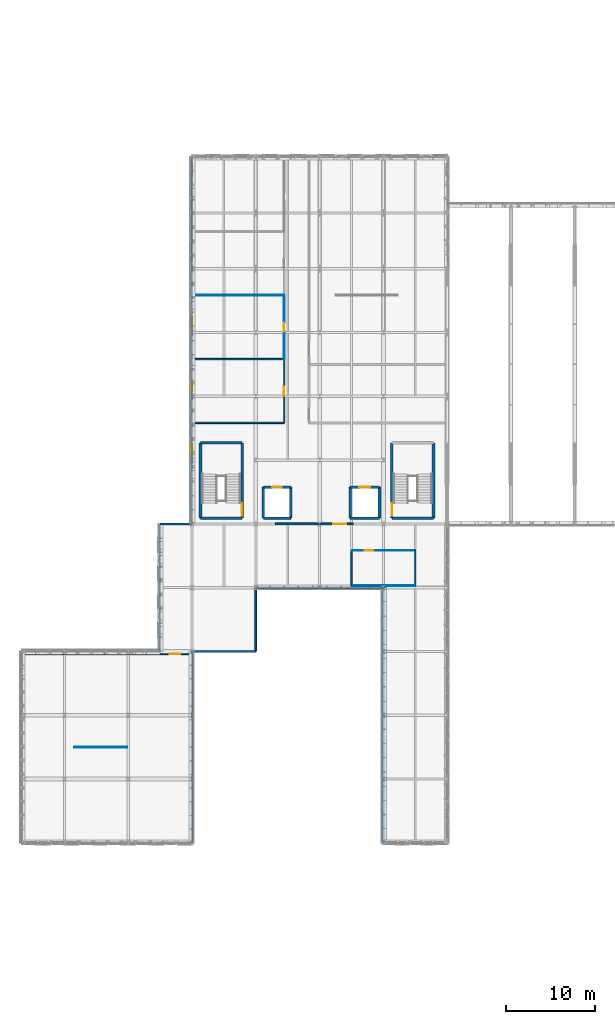
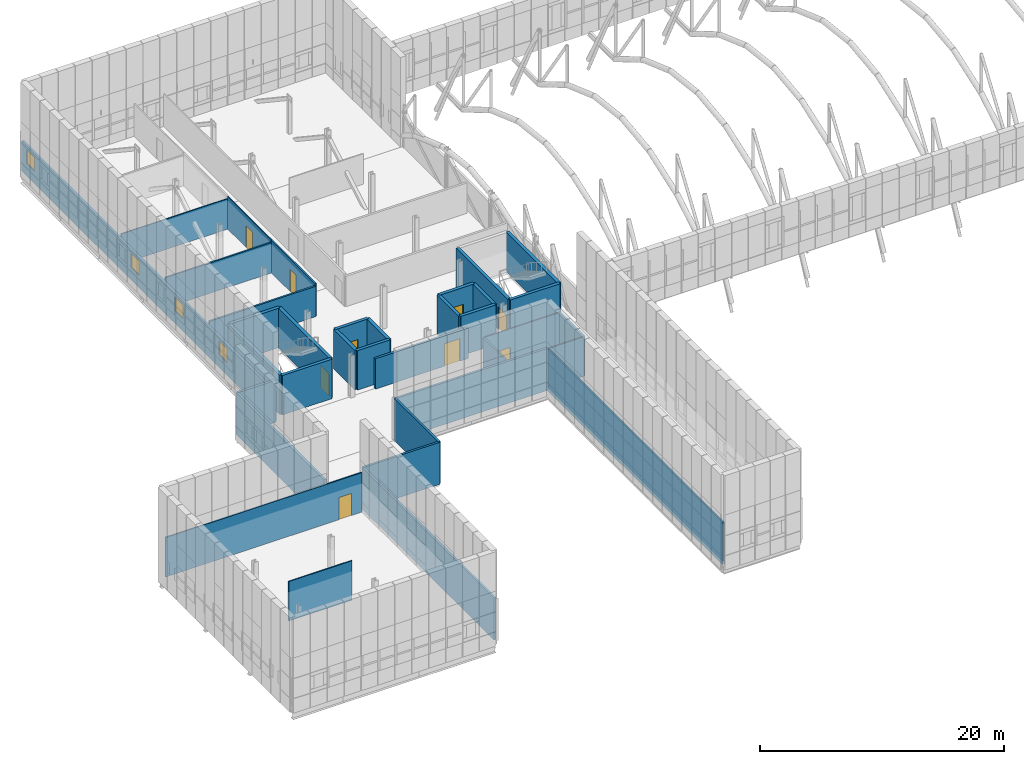
# One storey, part 101 of 144: 36 walls, 9 doors, 4 windows, 13 openings.
"""IFC4 building model written with IfcOpenShell, lengths in metres."""

from ifc_helpers import new_model, si_unit, direction, frame, frame_2d, origin, place, context, subcontext, project, spatial, rectangle, extrude, material, layer, layer_set, type_object, element, fill, save


model = new_model("IFC4")

# Units and contexts
model_context = context("Model", 3, precision=1e-05, world=origin(), true_north=direction((0.0, 1.0)))
body_context = subcontext(model_context, "Body", "Model", "MODEL_VIEW")
ifc_project = project(units=[si_unit("LENGTHUNIT", "METRE"), si_unit("AREAUNIT", "SQUARE_METRE"), si_unit("VOLUMEUNIT", "CUBIC_METRE"), si_unit("PLANEANGLEUNIT", "RADIAN"), si_unit("MASSUNIT", "GRAM", prefix="KILO")], contexts=[model_context])

# Site, building, storey
site_placement = place(None, origin())
site = spatial("IfcSite", under=ifc_project, at=site_placement, CompositionType="ELEMENT")
building_placement = place(site_placement, origin())
building = spatial("IfcBuilding", under=site, at=building_placement, Name="Yarey Park Central Fire Station", CompositionType="ELEMENT")
storey_placement = place(building_placement, frame((0.0, 0.0, 10.199951171875)))
storey = spatial("IfcBuildingStorey", under=building, at=storey_placement, Name="L03", CompositionType="ELEMENT", Elevation=10.199951171875)

# Walls
ifc_material_1 = material(Name="Concrete C35/45", Category="concrete")
ifc_layer_1 = layer(ifc_material_1, 0.205078125)
ifc_layer_set_1 = layer_set([ifc_layer_1], Name="Concrete C35/45")
wall_type_1 = type_object("IfcWallType", Name="ENV_WALL_INS205", PredefinedType="STANDARD", material=ifc_layer_set_1)
wall_1_placement = place(storey_placement, frame((36.0, 50.39990234375, 0.0), z_axis=(0.0, 0.0, 1.0), x_axis=(1.0, 0.0, 0.0)))
element("IfcWall", 1, at=wall_1_placement, inside=storey, type_object=wall_type_1, Name="EW_L03_CTYD_N", PredefinedType="STANDARD", context=body_context, shape_type="SweptSolid", body=[
    extrude(rectangle(XDim=14.39990234375, YDim=0.205078125, at=frame_2d((7.199951171875, 0.0))), origin(), (0.0, 0.0, 1.0), 4.199951171875),
])
wall_2_placement = place(storey_placement, frame((28.800048828125, 21.60009765625, 0.0), z_axis=(0.0, 0.0, 1.0), x_axis=(0.0, 1.0, 0.0)))
element("IfcWall", 2, at=wall_2_placement, inside=storey, type_object=wall_type_1, Name="EW_L03_CTYD_W1", PredefinedType="STANDARD", context=body_context, shape_type="SweptSolid", body=[
    extrude(rectangle(XDim=21.599853515625, YDim=0.205078125, at=frame_2d((10.7998046875, 0.0))), origin(), (0.0, 0.0, 1.0), 4.199951171875),
])
for number, where, z_axis, x_axis, name in (
    (3, (28.800048828125, 43.199951171875, 0.0), (0.0, 0.0, 1.0), (1.0, 0.0, 0.0), "EW_L03_CTYD_WS"),
    (4, (36.0, 43.199951171875, 0.0), (0.0, 0.0, 1.0), (0.0, 1.0, 0.0), "EW_L03_CTYD_W2"),
):
    element("IfcWall", number, at=place(storey_placement, frame(where, z_axis=z_axis, x_axis=x_axis)), inside=storey, type_object=wall_type_1, Name=name, PredefinedType="STANDARD", context=body_context, shape_type="SweptSolid", body=[
        extrude(rectangle(XDim=7.199951171875, YDim=0.205078125, at=frame_2d((3.60009765625, 0.0))), origin(), (0.0, 0.0, 1.0), 4.199951171875),
    ])
wall_3_placement = place(storey_placement, frame((50.39990234375, 50.39990234375, 0.0), z_axis=(0.0, 0.0, 1.0), x_axis=(0.0, -1.0, 0.0)))
element("IfcWall", 5, at=wall_3_placement, inside=storey, type_object=wall_type_1, Name="EW_L03_CTYD_E", PredefinedType="STANDARD", context=body_context, shape_type="SweptSolid", body=[
    extrude(rectangle(XDim=28.7998046875, YDim=0.205078125, at=frame_2d((14.39990234375, 0.0))), origin(), (0.0, 0.0, 1.0), 4.199951171875),
])
ifc_layer_2 = layer(ifc_material_1, 0.22998046875)
ifc_layer_set_2 = layer_set([ifc_layer_2], Name="Concrete C35/45")
wall_type_2 = type_object("IfcWallType", Name="ENV_WALL_INS230", PredefinedType="STANDARD", material=ifc_layer_set_2)
wall_4_placement = place(storey_placement, frame((28.800048828125, 57.60009765625, 0.0), z_axis=(0.0, 0.0, 1.0), x_axis=(-1.0, 0.0, 0.0)))
element("IfcWall", 6, at=wall_4_placement, inside=storey, type_object=wall_type_2, Name="EW_L03_V1_STEP_W", PredefinedType="STANDARD", context=body_context, shape_type="SweptSolid", body=[
    extrude(rectangle(XDim=3.60009765625, YDim=0.22998046875, at=frame_2d((1.800048828125, 0.0))), origin(), (0.0, 0.0, 1.0), 4.199951171875),
])
wall_5_placement = place(storey_placement, frame((25.199951171875, 57.60009765625, 0.0), z_axis=(0.0, 0.0, 1.0), x_axis=(0.0, -1.0, 0.0)))
element("IfcWall", 7, at=wall_5_placement, inside=storey, type_object=wall_type_2, Name="EW_L03_V1_W_COR", PredefinedType="STANDARD", context=body_context, shape_type="SweptSolid", body=[
    extrude(rectangle(XDim=14.400146484375, YDim=0.22998046875, at=frame_2d((7.2001953125, 0.0))), origin(), (0.0, 0.0, 1.0), 4.199951171875),
])

# Wall, openings, windows
wall_6_placement = place(storey_placement, frame((28.800048828125, 99.0, 0.0), z_axis=(0.0, 0.0, 1.0), x_axis=(0.0, -1.0, 0.0)))
wall_6 = element("IfcWall", 8, at=wall_6_placement, inside=storey, type_object=wall_type_2, Name="EW_L03_V3_W", PredefinedType="STANDARD", context=body_context, shape_type="SweptSolid", body=[
    extrude(rectangle(XDim=41.39990234375, YDim=0.22998046875, at=frame_2d((20.699951171875, 0.0))), origin(), (0.0, 0.0, 1.0), 3.0),
])
opening_1_placement = place(wall_6_placement, frame((32.389892578125, 0.0, 1.25)))
opening_1 = element("IfcOpeningElement", 9, at=opening_1_placement, cuts=wall_6, Name="Opening WN-DT126", PredefinedType="OPENING", context=body_context, shape_type="SweptSolid", body=[
    extrude(rectangle(XDim=1.260009765625, YDim=1.3798828125, at=frame_2d((0.6298828125, 0.68994140625))), frame((0.0, 0.125, 0.0), z_axis=(0.0, -1.0, 0.0), x_axis=(1.0, 0.0, 0.0)), (0.0, 0.0, 1.0), 0.25),
])
opening_2_placement = place(wall_6_placement, frame((25.18994140625, 0.0, 1.25)))
opening_2 = element("IfcOpeningElement", 10, at=opening_2_placement, cuts=wall_6, Name="Opening WN-DT126", PredefinedType="OPENING", context=body_context, shape_type="SweptSolid", body=[
    extrude(rectangle(XDim=1.260009765625, YDim=1.3798828125, at=frame_2d((0.6298828125, 0.68994140625))), frame((0.0, 0.125, 0.0), z_axis=(0.0, -1.0, 0.0), x_axis=(1.0, 0.0, 0.0)), (0.0, 0.0, 1.0), 0.25),
])
opening_3_placement = place(wall_6_placement, frame((17.989990234375, 0.0, 1.25)))
opening_3 = element("IfcOpeningElement", 11, at=opening_3_placement, cuts=wall_6, Name="Opening WN-DT126", PredefinedType="OPENING", context=body_context, shape_type="SweptSolid", body=[
    extrude(rectangle(XDim=1.260009765625, YDim=1.3798828125, at=frame_2d((0.6298828125, 0.68994140625))), frame((0.0, 0.125, 0.0), z_axis=(0.0, -1.0, 0.0), x_axis=(1.0, 0.0, 0.0)), (0.0, 0.0, 1.0), 0.25),
])
opening_4_placement = place(wall_6_placement, frame((0.840087890625, 0.0, 1.25)))
opening_4 = element("IfcOpeningElement", 12, at=opening_4_placement, cuts=wall_6, Name="Opening WN-DT126", PredefinedType="OPENING", context=body_context, shape_type="SweptSolid", body=[
    extrude(rectangle(XDim=1.260009765625, YDim=1.3798828125, at=frame_2d((0.6298828125, 0.68994140625))), frame((0.0, 0.125, 0.0), z_axis=(0.0, -1.0, 0.0), x_axis=(1.0, 0.0, 0.0)), (0.0, 0.0, 1.0), 0.25),
])
ifc_material_2 = material(Name="Laminated Hurricane Low-E Glass", Category="glass")
window_type = type_object("IfcWindowType", Name="ENV_WIN_DT_126", PartitioningType="SINGLE_PANEL", PredefinedType="WINDOW", material=ifc_material_2)
window_1_placement = place(opening_1_placement, origin())
window_1 = element("IfcWindow", 13, at=window_1_placement, inside=storey, type_object=window_type, Name="WIN_L03_DORM_1", OverallHeight=1.3798828125, OverallWidth=1.260009765625, PartitioningType="SINGLE_PANEL", PredefinedType="WINDOW", context=body_context, shape_type="SweptSolid", body=[
    extrude(rectangle(XDim=1.260009765625, YDim=1.3798828125, at=frame_2d((0.6298828125, 0.68994140625))), frame((0.0, 0.030029296875, 0.0), z_axis=(0.0, -1.0, 0.0), x_axis=(1.0, 0.0, 0.0)), (0.0, 0.0, 1.0), 0.06005859375),
])
fill(opening_1, window_1)
window_2_placement = place(opening_2_placement, origin())
window_2 = element("IfcWindow", 14, at=window_2_placement, inside=storey, type_object=window_type, Name="WIN_L03_DORM_2", OverallHeight=1.3798828125, OverallWidth=1.260009765625, PartitioningType="SINGLE_PANEL", PredefinedType="WINDOW", context=body_context, shape_type="SweptSolid", body=[
    extrude(rectangle(XDim=1.260009765625, YDim=1.3798828125, at=frame_2d((0.6298828125, 0.68994140625))), frame((0.0, 0.030029296875, 0.0), z_axis=(0.0, -1.0, 0.0), x_axis=(1.0, 0.0, 0.0)), (0.0, 0.0, 1.0), 0.06005859375),
])
fill(opening_2, window_2)
window_3_placement = place(opening_3_placement, origin())
window_3 = element("IfcWindow", 15, at=window_3_placement, inside=storey, type_object=window_type, Name="WIN_L03_DORM_3", OverallHeight=1.3798828125, OverallWidth=1.260009765625, PartitioningType="SINGLE_PANEL", PredefinedType="WINDOW", context=body_context, shape_type="SweptSolid", body=[
    extrude(rectangle(XDim=1.260009765625, YDim=1.3798828125, at=frame_2d((0.6298828125, 0.68994140625))), frame((0.0, 0.030029296875, 0.0), z_axis=(0.0, -1.0, 0.0), x_axis=(1.0, 0.0, 0.0)), (0.0, 0.0, 1.0), 0.06005859375),
])
fill(opening_3, window_3)
window_4_placement = place(opening_4_placement, origin())
window_4 = element("IfcWindow", 16, at=window_4_placement, inside=storey, type_object=window_type, Name="WIN_L03_DORM_4", OverallHeight=1.3798828125, OverallWidth=1.260009765625, PartitioningType="SINGLE_PANEL", PredefinedType="WINDOW", context=body_context, shape_type="SweptSolid", body=[
    extrude(rectangle(XDim=1.260009765625, YDim=1.3798828125, at=frame_2d((0.6298828125, 0.68994140625))), frame((0.0, 0.030029296875, 0.0), z_axis=(0.0, -1.0, 0.0), x_axis=(1.0, 0.0, 0.0)), (0.0, 0.0, 1.0), 0.06005859375),
])
fill(opening_4, window_4)

# Wall
ifc_material_3 = material(Name="Concrete C40/50", Category="concrete")
ifc_layer_3 = layer(ifc_material_3, 0.27001953125)
ifc_layer_set_3 = layer_set([ifc_layer_3], Name="Concrete C40/50")
wall_type_3 = type_object("IfcWallType", Name="INT_CORE_RC270", PredefinedType="SHEAR", material=ifc_layer_set_3)
wall_7_placement = place(storey_placement, frame((36.85009765625, 58.25, 0.0), z_axis=(0.0, 0.0, 1.0), x_axis=(1.0, 0.0, 0.0)))
element("IfcWall", 17, at=wall_7_placement, inside=storey, type_object=wall_type_3, Name="LWALL_C3_L03_S", PredefinedType="SHEAR", context=body_context, shape_type="SweptSolid", body=[
    extrude(rectangle(XDim=3.099853515625, YDim=0.300048828125, at=frame_2d((1.5498046875, 0.0))), origin(), (0.0, 0.0, 1.0), 3.949951171875),
])

# Wall, opening, door
wall_8_placement = place(storey_placement, frame((39.949951171875, 61.75, 0.0), z_axis=(0.0, 0.0, 1.0), x_axis=(-1.0, 0.0, 0.0)))
wall_8 = element("IfcWall", 18, at=wall_8_placement, inside=storey, type_object=wall_type_3, Name="LWALL_C3_L03_N", PredefinedType="SHEAR", context=body_context, shape_type="SweptSolid", body=[
    extrude(rectangle(XDim=3.099853515625, YDim=0.300048828125, at=frame_2d((1.5498046875, 0.0))), origin(), (0.0, 0.0, 1.0), 3.949951171875),
])
opening_5_placement = place(wall_8_placement, frame((1.0, 0.0, 0.0)))
opening_5 = element("IfcOpeningElement", 19, at=opening_5_placement, cuts=wall_8, Name="Opening LD-11", PredefinedType="OPENING", context=body_context, shape_type="SweptSolid", body=[
    extrude(rectangle(XDim=1.10009765625, YDim=2.219970703125, at=frame_2d((0.550048828125, 1.10986328125))), frame((0.0, 0.159912109375, 0.0), z_axis=(0.0, -1.0, 0.0), x_axis=(1.0, 0.0, 0.0)), (0.0, 0.0, 1.0), 0.320068359375),
])
ifc_material_4 = material(Name="Stainless Steel AISI 316L", Category="steel")
door_type_1 = type_object("IfcDoorType", Name="DR_LD_1100", OperationType="NOTDEFINED", PredefinedType="DOOR", material=ifc_material_4)
door_1_placement = place(opening_5_placement, origin())
door_1 = element("IfcDoor", 20, at=door_1_placement, inside=storey, type_object=door_type_1, Name="Lift Landing Door LF-3-L03", OperationType="SLIDING_TO_LEFT", OverallHeight=2.219970703125, OverallWidth=1.10009765625, PredefinedType="DOOR", context=body_context, shape_type="SweptSolid", body=[
    extrude(rectangle(XDim=1.10009765625, YDim=2.219970703125, at=frame_2d((0.550048828125, 1.10986328125))), frame((0.0, 0.02490234375, 0.0), z_axis=(0.0, -1.0, 0.0), x_axis=(1.0, 0.0, 0.0)), (0.0, 0.0, 1.0), 0.050048828125),
])
fill(opening_5, door_1)

# Walls
for number, where, z_axis, x_axis, name in (
    (21, (36.85009765625, 61.75, 0.0), (0.0, 0.0, 1.0), (0.0, -1.0, 0.0), "LWALL_C3_L03_W"),
    (22, (39.949951171875, 58.25, 0.0), (0.0, 0.0, 1.0), (0.0, 1.0, 0.0), "LWALL_C3_L03_E"),
):
    element("IfcWall", number, at=place(storey_placement, frame(where, z_axis=z_axis, x_axis=x_axis)), inside=storey, type_object=wall_type_3, Name=name, PredefinedType="SHEAR", context=body_context, shape_type="SweptSolid", body=[
        extrude(rectangle(XDim=3.5, YDim=0.300048828125, at=frame_2d((1.75, 0.0))), origin(), (0.0, 0.0, 1.0), 3.949951171875),
    ])
wall_9_placement = place(storey_placement, frame((46.64990234375, 58.25, 0.0), z_axis=(0.0, 0.0, 1.0), x_axis=(1.0, 0.0, 0.0)))
element("IfcWall", 23, at=wall_9_placement, inside=storey, type_object=wall_type_3, Name="LWALL_C4_L03_S", PredefinedType="SHEAR", context=body_context, shape_type="SweptSolid", body=[
    extrude(rectangle(XDim=3.300048828125, YDim=0.300048828125, at=frame_2d((1.64990234375, 0.0))), origin(), (0.0, 0.0, 1.0), 3.949951171875),
])

# Wall, opening, door
wall_10_placement = place(storey_placement, frame((49.949951171875, 61.75, 0.0), z_axis=(0.0, 0.0, 1.0), x_axis=(-1.0, 0.0, 0.0)))
wall_10 = element("IfcWall", 24, at=wall_10_placement, inside=storey, type_object=wall_type_3, Name="LWALL_C4_L03_N", PredefinedType="SHEAR", context=body_context, shape_type="SweptSolid", body=[
    extrude(rectangle(XDim=3.300048828125, YDim=0.300048828125, at=frame_2d((1.64990234375, 0.0))), origin(), (0.0, 0.0, 1.0), 3.949951171875),
])
opening_6_placement = place(wall_10_placement, frame((1.050048828125, 0.0, 0.0)))
opening_6 = element("IfcOpeningElement", 25, at=opening_6_placement, cuts=wall_10, Name="Opening LD-12", PredefinedType="OPENING", context=body_context, shape_type="SweptSolid", body=[
    extrude(rectangle(XDim=1.199951171875, YDim=2.260009765625, at=frame_2d((0.60009765625, 1.1298828125))), frame((0.0, 0.159912109375, 0.0), z_axis=(0.0, -1.0, 0.0), x_axis=(1.0, 0.0, 0.0)), (0.0, 0.0, 1.0), 0.320068359375),
])
door_type_2 = type_object("IfcDoorType", Name="DR_LD_1200", OperationType="NOTDEFINED", PredefinedType="DOOR", material=ifc_material_4)
door_2_placement = place(opening_6_placement, origin())
door_2 = element("IfcDoor", 26, at=door_2_placement, inside=storey, type_object=door_type_2, Name="Lift Landing Door LF-4-L03", OperationType="SLIDING_TO_LEFT", OverallHeight=2.260009765625, OverallWidth=1.199951171875, PredefinedType="DOOR", context=body_context, shape_type="SweptSolid", body=[
    extrude(rectangle(XDim=1.199951171875, YDim=2.260009765625, at=frame_2d((0.60009765625, 1.1298828125))), frame((0.0, 0.02490234375, 0.0), z_axis=(0.0, -1.0, 0.0), x_axis=(1.0, 0.0, 0.0)), (0.0, 0.0, 1.0), 0.050048828125),
])
fill(opening_6, door_2)

# Walls
for number, where, z_axis, x_axis, name in (
    (27, (46.64990234375, 61.75, 0.0), (0.0, 0.0, 1.0), (0.0, -1.0, 0.0), "LWALL_C4_L03_W"),
    (28, (49.949951171875, 58.25, 0.0), (0.0, 0.0, 1.0), (0.0, 1.0, 0.0), "LWALL_C4_L03_E"),
):
    element("IfcWall", number, at=place(storey_placement, frame(where, z_axis=z_axis, x_axis=x_axis)), inside=storey, type_object=wall_type_3, Name=name, PredefinedType="SHEAR", context=body_context, shape_type="SweptSolid", body=[
        extrude(rectangle(XDim=3.5, YDim=0.300048828125, at=frame_2d((1.75, 0.0))), origin(), (0.0, 0.0, 1.0), 3.949951171875),
    ])
ifc_layer_4 = layer(ifc_material_3, 0.300048828125)
ifc_layer_set_4 = layer_set([ifc_layer_4], Name="Concrete C40/50")
wall_type_4 = type_object("IfcWallType", Name="INT_CORE_RC300", PredefinedType="SHEAR", material=ifc_layer_set_4)
for number, where, z_axis, x_axis, name in (
    (29, (29.75, 58.25, 0.0), (0.0, 0.0, 1.0), (1.0, 0.0, 0.0), "CWALL_C3_L03_S"),
    (30, (34.449951171875, 66.75, 0.0), (0.0, 0.0, 1.0), (-1.0, 0.0, 0.0), "CWALL_C3_L03_N"),
):
    element("IfcWall", number, at=place(storey_placement, frame(where, z_axis=z_axis, x_axis=x_axis)), inside=storey, type_object=wall_type_4, Name=name, PredefinedType="SHEAR", context=body_context, shape_type="SweptSolid", body=[
        extrude(rectangle(XDim=4.699951171875, YDim=0.300048828125, at=frame_2d((2.35009765625, 0.0))), origin(), (0.0, 0.0, 1.0), 3.949951171875),
    ])
wall_11_placement = place(storey_placement, frame((29.75, 66.75, 0.0), z_axis=(0.0, 0.0, 1.0), x_axis=(0.0, -1.0, 0.0)))
element("IfcWall", 31, at=wall_11_placement, inside=storey, type_object=wall_type_4, Name="CWALL_C3_L03_W", PredefinedType="SHEAR", context=body_context, shape_type="SweptSolid", body=[
    extrude(rectangle(XDim=8.5, YDim=0.300048828125, at=frame_2d((4.25, 0.0))), origin(), (0.0, 0.0, 1.0), 3.949951171875),
])

# Wall, opening, door
wall_12_placement = place(storey_placement, frame((34.449951171875, 58.25, 0.0), z_axis=(0.0, 0.0, 1.0), x_axis=(0.0, 1.0, 0.0)))
wall_12 = element("IfcWall", 32, at=wall_12_placement, inside=storey, type_object=wall_type_4, Name="CWALL_C3_L03_E", PredefinedType="SHEAR", context=body_context, shape_type="SweptSolid", body=[
    extrude(rectangle(XDim=8.5, YDim=0.300048828125, at=frame_2d((4.25, 0.0))), origin(), (0.0, 0.0, 1.0), 3.949951171875),
])
opening_7_placement = place(wall_12_placement, frame((0.25, 0.0, 0.0)))
opening_7 = element("IfcOpeningElement", 33, at=opening_7_placement, cuts=wall_12, Name="Opening SD-146", PredefinedType="OPENING", context=body_context, shape_type="SweptSolid", body=[
    extrude(rectangle(XDim=1.4599609375, YDim=2.239990234375, at=frame_2d((0.72998046875, 1.1201171875))), frame((0.0, 0.159912109375, 0.0), z_axis=(0.0, -1.0, 0.0), x_axis=(1.0, 0.0, 0.0)), (0.0, 0.0, 1.0), 0.320068359375),
])
ifc_material_5 = material(Name="Galvanized Hollow Metal Door", Category="metal")
door_type_3 = type_object("IfcDoorType", Name="DR_STAIR_1460", OperationType="NOTDEFINED", PredefinedType="DOOR", material=ifc_material_5)
door_3_placement = place(opening_7_placement, origin())
door_3 = element("IfcDoor", 34, at=door_3_placement, inside=storey, type_object=door_type_3, Name="DOOR_STAIR_C3_L03", OperationType="SINGLE_SWING_LEFT", OverallHeight=2.239990234375, OverallWidth=1.4599609375, PredefinedType="DOOR", context=body_context, shape_type="SweptSolid", body=[
    extrude(rectangle(XDim=1.4599609375, YDim=2.239990234375, at=frame_2d((0.72998046875, 1.1201171875))), frame((0.0, 0.02490234375, 0.0), z_axis=(0.0, -1.0, 0.0), x_axis=(1.0, 0.0, 0.0)), (0.0, 0.0, 1.0), 0.050048828125),
])
fill(opening_7, door_3)

# Wall
wall_13_placement = place(storey_placement, frame((51.35009765625, 58.25, 0.0), z_axis=(0.0, 0.0, 1.0), x_axis=(1.0, 0.0, 0.0)))
element("IfcWall", 35, at=wall_13_placement, inside=storey, type_object=wall_type_4, Name="CWALL_C4_L03_S", PredefinedType="SHEAR", context=body_context, shape_type="SweptSolid", body=[
    extrude(rectangle(XDim=4.699951171875, YDim=0.300048828125, at=frame_2d((2.35009765625, 0.0))), origin(), (0.0, 0.0, 1.0), 3.949951171875),
])

# Wall, opening, door
wall_14_placement = place(storey_placement, frame((51.35009765625, 66.75, 0.0), z_axis=(0.0, 0.0, 1.0), x_axis=(0.0, -1.0, 0.0)))
wall_14 = element("IfcWall", 36, at=wall_14_placement, inside=storey, type_object=wall_type_4, Name="CWALL_C4_L03_W", PredefinedType="SHEAR", context=body_context, shape_type="SweptSolid", body=[
    extrude(rectangle(XDim=8.5, YDim=0.300048828125, at=frame_2d((4.25, 0.0))), origin(), (0.0, 0.0, 1.0), 3.949951171875),
])
opening_8_placement = place(wall_14_placement, frame((6.830078125, 0.0, 0.0)))
opening_8 = element("IfcOpeningElement", 37, at=opening_8_placement, cuts=wall_14, Name="Opening SD-142", PredefinedType="OPENING", context=body_context, shape_type="SweptSolid", body=[
    extrude(rectangle(XDim=1.419921875, YDim=2.219970703125, at=frame_2d((0.7099609375, 1.10986328125))), frame((0.0, 0.159912109375, 0.0), z_axis=(0.0, -1.0, 0.0), x_axis=(1.0, 0.0, 0.0)), (0.0, 0.0, 1.0), 0.320068359375),
])
door_type_4 = type_object("IfcDoorType", Name="DR_STAIR_1420", OperationType="NOTDEFINED", PredefinedType="DOOR", material=ifc_material_5)
door_4_placement = place(opening_8_placement, origin())
door_4 = element("IfcDoor", 38, at=door_4_placement, inside=storey, type_object=door_type_4, Name="DOOR_STAIR_C4_L03", OperationType="SINGLE_SWING_RIGHT", OverallHeight=2.219970703125, OverallWidth=1.419921875, PredefinedType="DOOR", context=body_context, shape_type="SweptSolid", body=[
    extrude(rectangle(XDim=1.419921875, YDim=2.219970703125, at=frame_2d((0.7099609375, 1.10986328125))), frame((0.0, 0.02490234375, 0.0), z_axis=(0.0, -1.0, 0.0), x_axis=(1.0, 0.0, 0.0)), (0.0, 0.0, 1.0), 0.050048828125),
])
fill(opening_8, door_4)

# Walls
wall_15_placement = place(storey_placement, frame((56.050048828125, 58.25, 0.0), z_axis=(0.0, 0.0, 1.0), x_axis=(0.0, 1.0, 0.0)))
element("IfcWall", 39, at=wall_15_placement, inside=storey, type_object=wall_type_4, Name="CWALL_C4_L03_E", PredefinedType="SHEAR", context=body_context, shape_type="SweptSolid", body=[
    extrude(rectangle(XDim=8.5, YDim=0.300048828125, at=frame_2d((4.25, 0.0))), origin(), (0.0, 0.0, 1.0), 3.949951171875),
])
ifc_material_6 = material(Name="Gypsum Shaftliner Assembly", Category="gypsum")
ifc_layer_5 = layer(ifc_material_6, 0.14990234375)
ifc_layer_set_5 = layer_set([ifc_layer_5], Name="Gypsum Shaftliner Assembly")
wall_type_5 = type_object("IfcWallType", Name="INT_WALL_AC150", PredefinedType="STANDARD", material=ifc_layer_set_5)
wall_16_placement = place(storey_placement, frame((39.199951171875, 76.199951171875, 0.0), z_axis=(0.0, 0.0, 1.0), x_axis=(-1.0, 0.0, 0.0)))
element("IfcWall", 40, at=wall_16_placement, inside=storey, type_object=wall_type_5, Name="PART_SPC_L03_DORM_W1_NORTH", PredefinedType="STANDARD", context=body_context, shape_type="SweptSolid", body=[
    extrude(rectangle(XDim=10.099853515625, YDim=0.14990234375, at=frame_2d((5.0498046875, 0.0))), origin(), (0.0, 0.0, 1.0), 3.0380859375),
])
wall_17_placement = place(storey_placement, frame((54.0, 50.60009765625, 0.0), z_axis=(0.0, 0.0, 1.0), x_axis=(0.0, 1.0, 0.0)))
element("IfcWall", 41, at=wall_17_placement, inside=storey, type_object=wall_type_5, Name="PART_SPC_L03_WCA_EAST", PredefinedType="STANDARD", context=body_context, shape_type="SweptSolid", body=[
    extrude(rectangle(XDim=4.0, YDim=0.14990234375, at=frame_2d((2.0, 0.0))), origin(), (0.0, 0.0, 1.0), 3.949951171875),
])
ifc_layer_6 = layer(ifc_material_6, 0.169921875)
ifc_layer_set_6 = layer_set([ifc_layer_6], Name="Gypsum Shaftliner Assembly")
wall_type_6 = type_object("IfcWallType", Name="INT_WALL_AC170", PredefinedType="STANDARD", material=ifc_layer_set_6)
wall_18_placement = place(storey_placement, frame((29.10009765625, 69.0, 0.0), z_axis=(0.0, 0.0, 1.0), x_axis=(1.0, 0.0, 0.0)))
element("IfcWall", 42, at=wall_18_placement, inside=storey, type_object=wall_type_6, Name="PART_SPC_L03_DORM_W1_SOUTH", PredefinedType="STANDARD", context=body_context, shape_type="SweptSolid", body=[
    extrude(rectangle(XDim=10.099853515625, YDim=0.169921875, at=frame_2d((5.0498046875, 0.0))), origin(), (0.0, 0.0, 1.0), 3.0380859375),
])
wall_19_placement = place(storey_placement, frame((46.800048828125, 54.60009765625, 0.0), z_axis=(0.0, 0.0, 1.0), x_axis=(0.0, -1.0, 0.0)))
element("IfcWall", 43, at=wall_19_placement, inside=storey, type_object=wall_type_6, Name="PART_SPC_L03_WCA_WEST", PredefinedType="STANDARD", context=body_context, shape_type="SweptSolid", body=[
    extrude(rectangle(XDim=4.0, YDim=0.169921875, at=frame_2d((2.0, 0.0))), origin(), (0.0, 0.0, 1.0), 3.949951171875),
])

# Wall, opening, door
ifc_layer_7 = layer(ifc_material_1, 0.215087890625)
ifc_layer_set_7 = layer_set([ifc_layer_7], Name="Concrete C35/45")
wall_type_7 = type_object("IfcWallType", Name="INT_WALL_FB215", PredefinedType="STANDARD", material=ifc_layer_set_7)
wall_20_placement = place(storey_placement, frame((38.199951171875, 57.60009765625, 0.0), z_axis=(0.0, 0.0, 1.0), x_axis=(1.0, 0.0, 0.0)))
wall_20 = element("IfcWall", 44, at=wall_20_placement, inside=storey, type_object=wall_type_7, Name="IW_L03_SOUTH_LOBBY", PredefinedType="STANDARD", context=body_context, shape_type="SweptSolid", body=[
    extrude(rectangle(XDim=8.800048828125, YDim=0.215087890625, at=frame_2d((4.39990234375, 0.0))), origin(), (0.0, 0.0, 1.0), 3.0380859375),
])
opening_9_placement = place(wall_20_placement, frame((6.550048828125, 0.0, 0.0)))
opening_9 = element("IfcOpeningElement", 45, at=opening_9_placement, cuts=wall_20, Name="Opening FD-146", PredefinedType="OPENING", context=body_context, shape_type="SweptSolid", body=[
    extrude(rectangle(XDim=1.4599609375, YDim=2.260009765625, at=frame_2d((0.72998046875, 1.1298828125))), frame((0.0, 0.117431640625, 0.0), z_axis=(0.0, -1.0, 0.0), x_axis=(1.0, 0.0, 0.0)), (0.0, 0.0, 1.0), 0.235107421875),
])
door_type_5 = type_object("IfcDoorType", Name="DR_FD_1460", OperationType="NOTDEFINED", PredefinedType="DOOR", material=ifc_material_5)
door_5_placement = place(opening_9_placement, origin())
door_5 = element("IfcDoor", 46, at=door_5_placement, inside=storey, type_object=door_type_5, Name="DOOR_L03_SOUTH_LOBBY", OperationType="SINGLE_SWING_LEFT", OverallHeight=2.260009765625, OverallWidth=1.4599609375, PredefinedType="DOOR", context=body_context, shape_type="SweptSolid", body=[
    extrude(rectangle(XDim=1.4599609375, YDim=2.260009765625, at=frame_2d((0.72998046875, 1.1298828125))), frame((0.0, 0.02490234375, 0.0), z_axis=(0.0, -1.0, 0.0), x_axis=(1.0, 0.0, 0.0)), (0.0, 0.0, 1.0), 0.050048828125),
])
fill(opening_9, door_5)

# Wall
ifc_material_7 = material(Name="Operable Acoustic Panel Partition", Category="metal")
ifc_layer_8 = layer(ifc_material_7, 0.112060546875)
ifc_layer_set_8 = layer_set([ifc_layer_8], Name="Operable Acoustic Panel Partition")
wall_type_8 = type_object("IfcWallType", Name="INT_WALL_MOV112", PredefinedType="MOVABLE", material=ifc_layer_set_8)
wall_21_placement = place(storey_placement, frame((15.5, 32.39990234375, 0.0), z_axis=(0.0, 0.0, 1.0), x_axis=(1.0, 0.0, 0.0)))
element("IfcWall", 47, at=wall_21_placement, inside=storey, type_object=wall_type_8, Name="MOV_L03_CLASS", PredefinedType="MOVABLE", context=body_context, shape_type="SweptSolid", body=[
    extrude(rectangle(XDim=6.0, YDim=0.112060546875, at=frame_2d((3.0, 0.0))), origin(), (0.0, 0.0, 1.0), 3.949951171875),
])

# Wall, opening, door
ifc_material_8 = material(Name="Gypsum Acoustic Partition", Category="gypsum")
ifc_layer_9 = layer(ifc_material_8, 0.0859375)
ifc_layer_set_9 = layer_set([ifc_layer_9], Name="Gypsum Acoustic Partition")
wall_type_9 = type_object("IfcWallType", Name="INT_WALL_PT086", PredefinedType="STANDARD", material=ifc_layer_set_9)
wall_22_placement = place(storey_placement, frame((39.199951171875, 76.199951171875, 0.0), z_axis=(0.0, 0.0, 1.0), x_axis=(0.0, 1.0, 0.0)))
wall_22 = element("IfcWall", 48, at=wall_22_placement, inside=storey, type_object=wall_type_9, Name="PART_SPC_L03_DORM_W2_EAST", PredefinedType="STANDARD", context=body_context, shape_type="SweptSolid", body=[
    extrude(rectangle(XDim=7.199951171875, YDim=0.0859375, at=frame_2d((3.60009765625, 0.0))), origin(), (0.0, 0.0, 1.0), 3.257080078125),
])
opening_10_placement = place(wall_22_placement, frame((3.10009765625, 0.0, 0.0)))
opening_10 = element("IfcOpeningElement", 49, at=opening_10_placement, cuts=wall_22, Name="Opening DD-100", PredefinedType="OPENING", context=body_context, shape_type="SweptSolid", body=[
    extrude(rectangle(XDim=1.0, YDim=2.179931640625, at=frame_2d((0.5, 1.08984375))), frame((0.0, 0.052978515625, 0.0), z_axis=(0.0, -1.0, 0.0), x_axis=(1.0, 0.0, 0.0)), (0.0, 0.0, 1.0), 0.10595703125),
])
ifc_material_9 = material(Name="Hardwood Acoustic Leaf", Category="wood")
door_type_6 = type_object("IfcDoorType", Name="DR_DORM_1000", OperationType="NOTDEFINED", PredefinedType="DOOR", material=ifc_material_9)
door_6_placement = place(opening_10_placement, origin())
door_6 = element("IfcDoor", 50, at=door_6_placement, inside=storey, type_object=door_type_6, Name="DOOR_SPC_L03_DORM_W2", OperationType="SINGLE_SWING_RIGHT", OverallHeight=2.179931640625, OverallWidth=1.0, PredefinedType="DOOR", context=body_context, shape_type="SweptSolid", body=[
    extrude(rectangle(XDim=1.0, YDim=2.179931640625, at=frame_2d((0.5, 1.08984375))), frame((0.0, 0.02490234375, 0.0), z_axis=(0.0, -1.0, 0.0), x_axis=(1.0, 0.0, 0.0)), (0.0, 0.0, 1.0), 0.050048828125),
])
fill(opening_10, door_6)

wall_23_placement = place(storey_placement, frame((54.0, 54.60009765625, 0.0), z_axis=(0.0, 0.0, 1.0), x_axis=(-1.0, 0.0, 0.0)))
wall_23 = element("IfcWall", 51, at=wall_23_placement, inside=storey, type_object=wall_type_9, Name="PART_SPC_L03_WCA_NORTH", PredefinedType="STANDARD", context=body_context, shape_type="SweptSolid", body=[
    extrude(rectangle(XDim=7.199951171875, YDim=0.0859375, at=frame_2d((3.60009765625, 0.0))), origin(), (0.0, 0.0, 1.0), 3.949951171875),
])
opening_11_placement = place(wall_23_placement, frame((4.719970703125, 0.0, 0.0)))
opening_11 = element("IfcOpeningElement", 52, at=opening_11_placement, cuts=wall_23, Name="Opening WD-096", PredefinedType="OPENING", context=body_context, shape_type="SweptSolid", body=[
    extrude(rectangle(XDim=0.9599609375, YDim=2.10009765625, at=frame_2d((0.47998046875, 1.050048828125))), frame((0.0, 0.052978515625, 0.0), z_axis=(0.0, -1.0, 0.0), x_axis=(1.0, 0.0, 0.0)), (0.0, 0.0, 1.0), 0.10595703125),
])
ifc_material_10 = material(Name="Phenolic Moisture-Resistant Leaf", Category="wood")
door_type_7 = type_object("IfcDoorType", Name="DR_WC_960", OperationType="NOTDEFINED", PredefinedType="DOOR", material=ifc_material_10)
door_7_placement = place(opening_11_placement, origin())
door_7 = element("IfcDoor", 53, at=door_7_placement, inside=storey, type_object=door_type_7, Name="DOOR_SPC_L03_WCA", OperationType="SINGLE_SWING_LEFT", OverallHeight=2.10009765625, OverallWidth=0.9599609375, PredefinedType="DOOR", context=body_context, shape_type="SweptSolid", body=[
    extrude(rectangle(XDim=0.9599609375, YDim=2.10009765625, at=frame_2d((0.47998046875, 1.050048828125))), frame((0.0, 0.02490234375, 0.0), z_axis=(0.0, -1.0, 0.0), x_axis=(1.0, 0.0, 0.0)), (0.0, 0.0, 1.0), 0.050048828125),
])
fill(opening_11, door_7)

# Walls
ifc_layer_10 = layer(ifc_material_8, 0.10205078125)
ifc_layer_set_10 = layer_set([ifc_layer_10], Name="Gypsum Acoustic Partition")
wall_type_10 = type_object("IfcWallType", Name="INT_WALL_PT102", PredefinedType="STANDARD", material=ifc_layer_set_10)
wall_24_placement = place(storey_placement, frame((39.199951171875, 83.39990234375, 0.0), z_axis=(0.0, 0.0, 1.0), x_axis=(-1.0, 0.0, 0.0)))
element("IfcWall", 54, at=wall_24_placement, inside=storey, type_object=wall_type_10, Name="PART_SPC_L03_DORM_W2_NORTH", PredefinedType="STANDARD", context=body_context, shape_type="SweptSolid", body=[
    extrude(rectangle(XDim=10.099853515625, YDim=0.10205078125, at=frame_2d((5.0498046875, 0.0))), origin(), (0.0, 0.0, 1.0), 3.0380859375),
])
wall_25_placement = place(storey_placement, frame((46.800048828125, 50.60009765625, 0.0), z_axis=(0.0, 0.0, 1.0), x_axis=(1.0, 0.0, 0.0)))
element("IfcWall", 55, at=wall_25_placement, inside=storey, type_object=wall_type_10, Name="PART_SPC_L03_WCA_SOUTH", PredefinedType="STANDARD", context=body_context, shape_type="SweptSolid", body=[
    extrude(rectangle(XDim=7.199951171875, YDim=0.10205078125, at=frame_2d((3.60009765625, 0.0))), origin(), (0.0, 0.0, 1.0), 3.949951171875),
])
wall_26_placement = place(storey_placement, frame((50.60009765625, 50.60009765625, 0.0), z_axis=(0.0, 0.0, 1.0), x_axis=(0.0, -1.0, 0.0)))
element("IfcWall", 56, at=wall_26_placement, inside=storey, type_object=wall_type_10, Name="PART_SPC_L03_CLASS2_WEST", PredefinedType="STANDARD", context=body_context, shape_type="SweptSolid", body=[
    extrude(rectangle(XDim=28.7001953125, YDim=0.10205078125, at=frame_2d((14.35009765625, 0.0))), origin(), (0.0, 0.0, 1.0), 3.949951171875),
])

# Wall, opening, door
ifc_layer_11 = layer(ifc_material_8, 0.134033203125)
ifc_layer_set_11 = layer_set([ifc_layer_11], Name="Gypsum Acoustic Partition")
wall_type_11 = type_object("IfcWallType", Name="INT_WALL_PT134", PredefinedType="STANDARD", material=ifc_layer_set_11)
wall_27_placement = place(storey_placement, frame((39.199951171875, 69.0, 0.0), z_axis=(0.0, 0.0, 1.0), x_axis=(0.0, 1.0, 0.0)))
wall_27 = element("IfcWall", 57, at=wall_27_placement, inside=storey, type_object=wall_type_11, Name="PART_SPC_L03_DORM_W1_EAST", PredefinedType="STANDARD", context=body_context, shape_type="SweptSolid", body=[
    extrude(rectangle(XDim=7.199951171875, YDim=0.134033203125, at=frame_2d((3.60009765625, 0.0))), origin(), (0.0, 0.0, 1.0), 3.257080078125),
])
opening_12_placement = place(wall_27_placement, frame((3.090087890625, 0.0, 0.0)))
opening_12 = element("IfcOpeningElement", 58, at=opening_12_placement, cuts=wall_27, Name="Opening DD-102", PredefinedType="OPENING", context=body_context, shape_type="SweptSolid", body=[
    extrude(rectangle(XDim=1.02001953125, YDim=2.199951171875, at=frame_2d((0.510009765625, 1.10009765625))), frame((0.0, 0.076904296875, 0.0), z_axis=(0.0, -1.0, 0.0), x_axis=(1.0, 0.0, 0.0)), (0.0, 0.0, 1.0), 0.154052734375),
])
door_type_8 = type_object("IfcDoorType", Name="DR_DORM_1020", OperationType="NOTDEFINED", PredefinedType="DOOR", material=ifc_material_9)
door_8_placement = place(opening_12_placement, origin())
door_8 = element("IfcDoor", 59, at=door_8_placement, inside=storey, type_object=door_type_8, Name="DOOR_SPC_L03_DORM_W1", OperationType="SINGLE_SWING_LEFT", OverallHeight=2.199951171875, OverallWidth=1.02001953125, PredefinedType="DOOR", context=body_context, shape_type="SweptSolid", body=[
    extrude(rectangle(XDim=1.02001953125, YDim=2.199951171875, at=frame_2d((0.510009765625, 1.10009765625))), frame((0.0, 0.02490234375, 0.0), z_axis=(0.0, -1.0, 0.0), x_axis=(1.0, 0.0, 0.0)), (0.0, 0.0, 1.0), 0.050048828125),
])
fill(opening_12, door_8)

wall_28_placement = place(storey_placement, frame((28.5, 42.89990234375, 0.0), z_axis=(0.0, 0.0, 1.0), x_axis=(-1.0, 0.0, 0.0)))
wall_28 = element("IfcWall", 60, at=wall_28_placement, inside=storey, type_object=wall_type_11, Name="PART_SPC_L03_CLASS1_NORTH", PredefinedType="STANDARD", context=body_context, shape_type="SweptSolid", body=[
    extrude(rectangle(XDim=18.60009765625, YDim=0.134033203125, at=frame_2d((9.300048828125, 0.0))), origin(), (0.0, 0.0, 1.0), 3.949951171875),
])
opening_13_placement = place(wall_28_placement, frame((1.010009765625, 0.0, 0.0)))
opening_13 = element("IfcOpeningElement", 61, at=opening_13_placement, cuts=wall_28, Name="Opening ID-118", PredefinedType="OPENING", context=body_context, shape_type="SweptSolid", body=[
    extrude(rectangle(XDim=1.179931640625, YDim=2.219970703125, at=frame_2d((0.58984375, 1.10986328125))), frame((0.0, 0.076904296875, 0.0), z_axis=(0.0, -1.0, 0.0), x_axis=(1.0, 0.0, 0.0)), (0.0, 0.0, 1.0), 0.154052734375),
])
door_type_9 = type_object("IfcDoorType", Name="DR_INT_1180", OperationType="NOTDEFINED", PredefinedType="DOOR", material=ifc_material_9)
door_9_placement = place(opening_13_placement, origin())
door_9 = element("IfcDoor", 62, at=door_9_placement, inside=storey, type_object=door_type_9, Name="DOOR_SPC_L03_CLASS1", OperationType="SINGLE_SWING_RIGHT", OverallHeight=2.219970703125, OverallWidth=1.179931640625, PredefinedType="DOOR", context=body_context, shape_type="SweptSolid", body=[
    extrude(rectangle(XDim=1.179931640625, YDim=2.219970703125, at=frame_2d((0.58984375, 1.10986328125))), frame((0.0, 0.02490234375, 0.0), z_axis=(0.0, -1.0, 0.0), x_axis=(1.0, 0.0, 0.0)), (0.0, 0.0, 1.0), 0.050048828125),
])
fill(opening_13, door_9)

save(model, "model.ifc")
